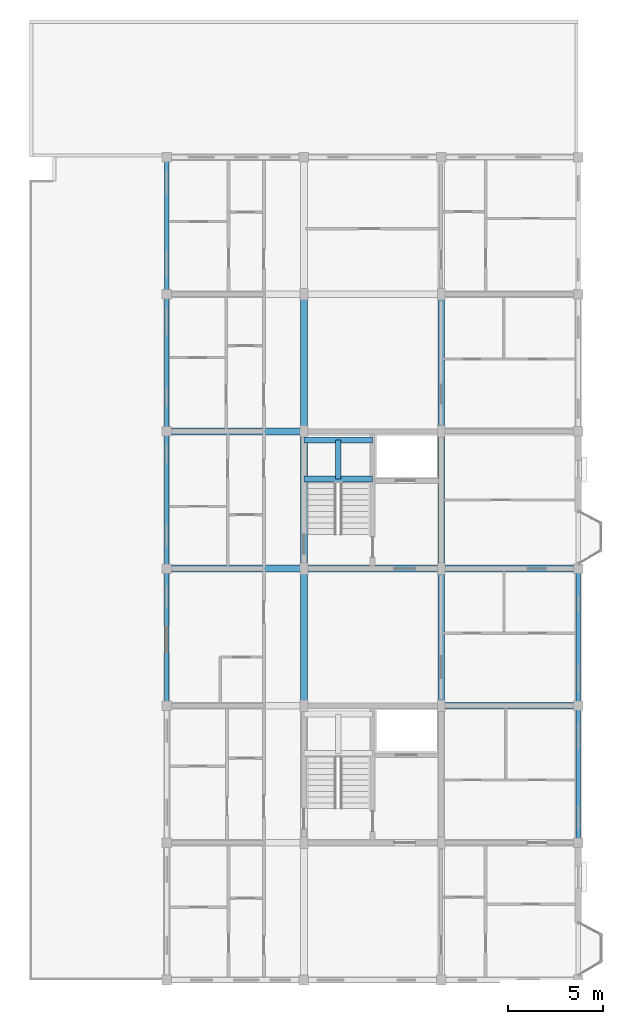
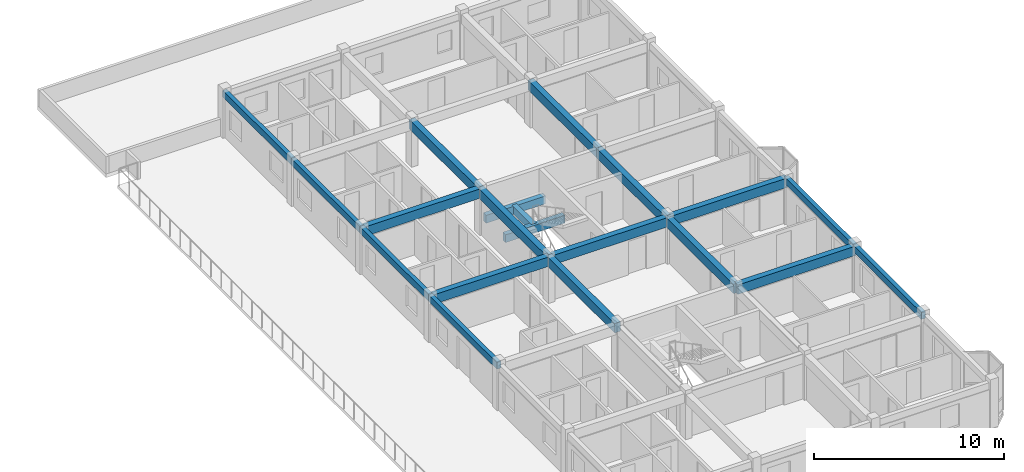
# One storey, part 25 of 70: 20 beams.
"""IFC4 building model written with IfcOpenShell, lengths in metres."""

import ifcopenshell
import ifcopenshell.guid

model = None  # the IFC model being written
_history = None  # IfcOwnerHistory: only IFC2X3 demands one
_inside = {}  # id of a spatial element -> (the spatial element, [elements in it])
_under = {}  # id of a project, library or spatial element -> (it, [spatial elements below it])
_declared = {}  # id of a project -> (the project, [libraries it declares])
_typed = {}  # id of a type object -> (the type object, [elements of that type])
_made_of = {}  # id of a material, layer set ... -> (it, [elements and type objects made of it])


def new_model(schema):
    """Start an empty IFC model of exactly this schema.

    Asked for "IFC4X3", IfcOpenShell would pick the latest addendum, in which some entities
    have other attributes; the version numbers below select the first issue.
    IFC2X3 requires an IfcOwnerHistory on every rooted entity: one is made here for all.
    """
    global model, _history
    if schema == "IFC4X3":
        model = ifcopenshell.file(schema_version=(4, 3, 0, 0))
    else:
        model = ifcopenshell.file(schema=schema)
    _inside.clear()
    _under.clear()
    _declared.clear()
    _typed.clear()
    _made_of.clear()
    _history = None
    if model.schema == "IFC2X3":
        org = make("IfcOrganization", Name="unknown")
        user = make(
            "IfcPersonAndOrganization",
            ThePerson=make("IfcPerson", FamilyName="unknown"),
            TheOrganization=org,
        )
        app = make(
            "IfcApplication",
            ApplicationDeveloper=org,
            Version="unknown",
            ApplicationFullName="unknown",
            ApplicationIdentifier="unknown",
        )
        _history = make(
            "IfcOwnerHistory",
            OwningUser=user,
            OwningApplication=app,
            ChangeAction="ADDED",
            CreationDate=0,
        )
    return model


def make(cls, **values):
    """One entity of the class cls with the attributes given. An attribute that is None is left unset."""
    return model.create_entity(
        cls, **{name: value for name, value in values.items() if value is not None}
    )


def rooted(cls, **values):
    """An entity with a GlobalId (a new one), such as an element, a storey or a relation."""
    return make(cls, GlobalId=ifcopenshell.guid.new(), OwnerHistory=_history, **values)


def si_unit(unit_type, name, prefix=None):
    """IfcSIUnit, for example si_unit("LENGTHUNIT", "METRE", prefix="MILLI")."""
    return make("IfcSIUnit", UnitType=unit_type, Prefix=prefix, Name=name)


def assignment(units):
    """IfcUnitAssignment: the units of a project."""
    return None if units is None else make("IfcUnitAssignment", Units=units)


def point(xyz):
    """IfcCartesianPoint."""
    return None if xyz is None else make("IfcCartesianPoint", Coordinates=xyz)


def direction(xyz):
    """IfcDirection."""
    return None if xyz is None else make("IfcDirection", DirectionRatios=xyz)


def frame(location, z_axis=None, x_axis=None):
    """IfcAxis2Placement3D, a coordinate frame: its origin and axes. An axis left out is left unset."""
    return make(
        "IfcAxis2Placement3D",
        Location=point(location),
        Axis=direction(z_axis),
        RefDirection=direction(x_axis),
    )


def frame_2d(location, x_axis=None):
    """IfcAxis2Placement2D, a coordinate frame in the plane: its origin and x axis."""
    return make(
        "IfcAxis2Placement2D", Location=point(location), RefDirection=direction(x_axis)
    )


def origin():
    """The frame at (0, 0, 0) with its axes left unset."""
    return frame((0.0, 0.0, 0.0))


def origin_2d():
    """The frame at (0, 0) in the plane with its x axis left unset."""
    return frame_2d((0.0, 0.0))


def place(relative_to, where):
    """IfcLocalPlacement: puts the frame where relative to a parent placement (None: the world)."""
    return make(
        "IfcLocalPlacement", PlacementRelTo=relative_to, RelativePlacement=where
    )


def context(
    kind, dimensions, precision=None, world=None, true_north=None, identifier=None
):
    """IfcGeometricRepresentationContext, for example the 3D "Model" context."""
    return make(
        "IfcGeometricRepresentationContext",
        ContextIdentifier=identifier,
        ContextType=kind,
        CoordinateSpaceDimension=dimensions,
        Precision=precision,
        WorldCoordinateSystem=world,
        TrueNorth=true_north,
    )


def subcontext(parent, identifier, kind, view, scale=None):
    """IfcGeometricRepresentationSubContext, for example "Body" below "Model"."""
    return make(
        "IfcGeometricRepresentationSubContext",
        ContextIdentifier=identifier,
        ContextType=kind,
        ParentContext=parent,
        TargetScale=scale,
        TargetView=view,
    )


def project(units=None, contexts=None):
    """IfcProject with its units and contexts."""
    return rooted(
        "IfcProject",
        Name="project",
        RepresentationContexts=contexts,
        UnitsInContext=assignment(units),
    )


def spatial(cls, under=None, at=None, **own):
    """A site, building, storey or space (cls), placed at a placement, below another one or the project."""
    s = rooted(cls, ObjectPlacement=at, **own)
    if under is not None:
        _under.setdefault(under.id(), (under, []))[1].append(s)
    return s


def profile(cls, at=None, kind="AREA", **sizes):
    """A parametric profile (cls). Its sizes go by their IFC names, for example OverallWidth=200.0."""
    return make(cls, ProfileType=kind, Position=at, **sizes)


def rectangle(**sizes):
    """IfcRectangleProfileDef."""
    return profile("IfcRectangleProfileDef", **sizes)


def extrude(swept, where, along, depth):
    """IfcExtrudedAreaSolid: the profile swept, set in the frame where, extruded along a direction by depth."""
    return make(
        "IfcExtrudedAreaSolid",
        SweptArea=swept,
        Position=where,
        ExtrudedDirection=direction(along),
        Depth=depth,
    )


def shape(context_of_items, identifier, shape_type, items):
    """IfcShapeRepresentation: the items that make up one representation, for example the "Body"."""
    return make(
        "IfcShapeRepresentation",
        ContextOfItems=context_of_items,
        RepresentationIdentifier=identifier,
        RepresentationType=shape_type,
        Items=items,
    )


def material(Name=None, Category=None):
    """IfcMaterial."""
    return make("IfcMaterial", Name=Name, Category=Category)


def material_profile(
    of_material, cross_section, Name=None, Category=None, Priority=None
):
    """IfcMaterialProfile: a cross section and its material."""
    return make(
        "IfcMaterialProfile",
        Name=Name,
        Material=of_material,
        Profile=cross_section,
        Priority=Priority,
        Category=Category,
    )


def profile_set(profiles, Name=None, composite=None):
    """IfcMaterialProfileSet."""
    return make(
        "IfcMaterialProfileSet",
        Name=Name,
        MaterialProfiles=profiles,
        CompositeProfile=composite,
    )


def made_of(thing, what):
    """Note that an element or type object is made of a material, layer set ...; save() writes the relation."""
    if what is not None:
        _made_of.setdefault(what.id(), (what, []))[1].append(thing)
    return thing


def type_object(cls, material=None, **own):
    """A type object (cls), such as IfcWallType, which elements share."""
    return made_of(rooted(cls, **own), material)


def element(
    cls,
    number,
    at=None,
    inside=None,
    cuts=None,
    type_object=None,
    material=None,
    context=None,
    identifier="Body",
    shape_type=None,
    held_by="IfcProductDefinitionShape",
    body=None,
    shapes=None,
    **own,
):
    """One element of the class cls, such as IfcWall. Its Tag is "e" and its number.

    at: its placement. inside: the storey or other place that contains it. cuts: it is an
    opening in that element (IfcRelVoidsElement). A single representation is given by context,
    identifier, shape_type and body (its items); several are given by shapes. held_by: the class
    of the entity that holds the representations. save() writes the other relations.
    """
    e = rooted(cls, Tag="e%d" % number, ObjectPlacement=at, **own)
    if body is not None:
        shapes = [shape(context, identifier, shape_type, body)]
    if shapes is not None:
        e.Representation = make(held_by, Representations=shapes)
    if inside is not None:
        _inside.setdefault(inside.id(), (inside, []))[1].append(e)
    if cuts is not None:
        rooted(
            "IfcRelVoidsElement", RelatingBuildingElement=cuts, RelatedOpeningElement=e
        )
    if type_object is not None:
        _typed.setdefault(type_object.id(), (type_object, []))[1].append(e)
    return made_of(e, material)


def aggregate(whole, parts):
    """IfcRelAggregates: a whole, such as a stair, and the parts it consists of."""
    return rooted("IfcRelAggregates", RelatingObject=whole, RelatedObjects=parts)


def save(model, path):
    """Write the relations noted so far, then the file.

    IfcRelAggregates (storeys below a building ...), IfcRelContainedInSpatialStructure (elements
    in a storey), IfcRelDefinesByType, IfcRelAssociatesMaterial and IfcRelDeclares: one each for
    every whole, place, type object, material and project.
    """
    for whole, parts in _under.values():
        aggregate(whole, parts)
    for where, things in _inside.values():
        rooted(
            "IfcRelContainedInSpatialStructure",
            RelatedElements=things,
            RelatingStructure=where,
        )
    for kind, things in _typed.values():
        rooted("IfcRelDefinesByType", RelatedObjects=things, RelatingType=kind)
    for what, things in _made_of.values():
        rooted("IfcRelAssociatesMaterial", RelatedObjects=things, RelatingMaterial=what)
    for by, libraries in _declared.values():
        rooted("IfcRelDeclares", RelatingContext=by, RelatedDefinitions=libraries)
    model.write(path)


model = new_model("IFC4")

# Units and contexts
model_context = context("Model", 3, precision=1e-05, world=origin(), true_north=direction((0.0, 1.0)))
body_context = subcontext(model_context, "Body", "Model", "MODEL_VIEW")
ifc_project = project(units=[si_unit("LENGTHUNIT", "METRE"), si_unit("AREAUNIT", "SQUARE_METRE"), si_unit("VOLUMEUNIT", "CUBIC_METRE"), si_unit("PLANEANGLEUNIT", "RADIAN"), si_unit("MASSUNIT", "GRAM", prefix="KILO"), si_unit("THERMODYNAMICTEMPERATUREUNIT", "KELVIN"), si_unit("POWERUNIT", "WATT")], contexts=[model_context])

# Site, building, storey
site_placement = place(None, origin())
site = spatial("IfcSite", under=ifc_project, at=site_placement, CompositionType="ELEMENT")
building_placement = place(site_placement, origin())
building = spatial("IfcBuilding", under=site, at=building_placement, Name="Tavuni Mirador Residences", CompositionType="ELEMENT")
storey_placement = place(building_placement, frame((0.0, 0.0, 23.39990234375)))
storey = spatial("IfcBuildingStorey", under=building, at=storey_placement, Name="L07", CompositionType="ELEMENT", Elevation=23.39990234375)

# Beams
ifc_material = material(Name="Precast concrete C40/50", Category="concrete")
ifc_material_profile_1 = material_profile(ifc_material, rectangle(XDim=0.300048828125, YDim=0.5, at=origin_2d()), Name="PC 300x500", Category="concrete")
ifc_profile_set_1 = profile_set([ifc_material_profile_1], Name="Precast concrete C40/50")
beam_type_1 = type_object("IfcBeamType", Name="BT-B500", PredefinedType="BEAM", material=ifc_profile_set_1)
for number, where, z_axis, x_axis, name in (
    (1, (104.39990234375, 112.699951171875, 1.14501953125), (1.0, 0.0, 0.0), (0.0, 1.0, 0.0), "HLB1-C8-L07"),
    (2, (104.39990234375, 114.75, 1.14501953125), (1.0, 0.0, 0.0), (0.0, 1.0, 0.0), "HLB2-C8-L07"),
):
    element("IfcBeam", number, at=place(storey_placement, frame(where, z_axis=z_axis, x_axis=x_axis)), inside=storey, type_object=beam_type_1, Name=name, PredefinedType="BEAM", context=body_context, shape_type="SweptSolid", body=[
        extrude(rectangle(XDim=0.300048828125, YDim=0.5, at=origin_2d()), origin(), (0.0, 0.0, 1.0), 3.60009765625),
    ])
beam_1_placement = place(storey_placement, frame((106.199951171875, 112.699951171875, 1.14501953125), z_axis=(0.0, 1.0, 0.0), x_axis=(-1.0, 0.0, 0.0)))
element("IfcBeam", 3, at=beam_1_placement, inside=storey, type_object=beam_type_1, Name="HLB3-C8-L07", PredefinedType="BEAM", context=body_context, shape_type="SweptSolid", body=[
    extrude(rectangle(XDim=0.300048828125, YDim=0.5, at=origin_2d()), origin(), (0.0, 0.0, 1.0), 2.050048828125),
])
ifc_material_profile_2 = material_profile(ifc_material, rectangle(XDim=0.35009765625, YDim=0.60009765625, at=origin_2d()), Name="PC 350x600", Category="concrete")
ifc_profile_set_2 = profile_set([ifc_material_profile_2], Name="Precast concrete C40/50")
beam_type_2 = type_object("IfcBeamType", Name="BT-B600", PredefinedType="BEAM", material=ifc_profile_set_2)
for number, where, z_axis, x_axis, name in (
    (4, (111.60009765625, 100.800048828125, 2.590087890625), (1.0, 0.0, 0.0), (0.0, 1.0, 0.0), "BMX-BLK-D-L07-02-02"),
    (5, (97.199951171875, 108.0, 2.590087890625), (1.0, 0.0, 0.0), (0.0, 1.0, 0.0), "BMX-BLK-D-L07-00-03"),
):
    element("IfcBeam", number, at=place(storey_placement, frame(where, z_axis=z_axis, x_axis=x_axis)), inside=storey, type_object=beam_type_2, Name=name, PredefinedType="BEAM", context=body_context, shape_type="SweptSolid", body=[
        extrude(rectangle(XDim=0.35009765625, YDim=0.60009765625, at=origin_2d()), origin(), (0.0, 0.0, 1.0), 7.199951171875),
    ])
beam_2_placement = place(storey_placement, frame((104.39990234375, 108.0, 2.590087890625), z_axis=(1.0, 0.0, 0.0), x_axis=(0.0, 1.0, 0.0)))
element("IfcBeam", 6, at=beam_2_placement, inside=storey, type_object=beam_type_2, Name="BMX-BLK-D-L07-01-03", PredefinedType="BEAM", context=body_context, shape_type="SweptSolid", body=[
    extrude(rectangle(XDim=0.35009765625, YDim=0.60009765625, at=origin_2d()), origin(), (0.0, 0.0, 1.0), 7.2001953125),
])
for number, where, z_axis, x_axis, name in (
    (7, (111.60009765625, 108.0, 2.590087890625), (1.0, 0.0, 0.0), (0.0, 1.0, 0.0), "BMX-BLK-D-L07-02-03"),
    (8, (97.199951171875, 115.199951171875, 2.590087890625), (1.0, 0.0, 0.0), (0.0, 1.0, 0.0), "BMX-BLK-D-L07-00-04"),
    (9, (104.39990234375, 100.800048828125, 2.590087890625), (0.0, 1.0, 0.0), (-1.0, 0.0, 0.0), "BMY-BLK-D-L07-01-02"),
    (10, (104.39990234375, 108.0, 2.590087890625), (0.0, 1.0, 0.0), (-1.0, 0.0, 0.0), "BMY-BLK-D-L07-01-03"),
    (11, (104.39990234375, 115.199951171875, 2.590087890625), (0.0, 1.0, 0.0), (-1.0, 0.0, 0.0), "BMY-BLK-D-L07-01-04"),
    (12, (111.60009765625, 100.800048828125, 2.590087890625), (0.0, 1.0, 0.0), (-1.0, 0.0, 0.0), "BMY-BLK-D-L07-02-02"),
    (13, (111.60009765625, 108.0, 2.590087890625), (0.0, 1.0, 0.0), (-1.0, 0.0, 0.0), "BMY-BLK-D-L07-02-03"),
    (14, (111.60009765625, 115.199951171875, 2.590087890625), (0.0, 1.0, 0.0), (-1.0, 0.0, 0.0), "BMY-BLK-D-L07-02-04"),
):
    element("IfcBeam", number, at=place(storey_placement, frame(where, z_axis=z_axis, x_axis=x_axis)), inside=storey, type_object=beam_type_2, Name=name, PredefinedType="BEAM", context=body_context, shape_type="SweptSolid", body=[
        extrude(rectangle(XDim=0.35009765625, YDim=0.60009765625, at=origin_2d()), origin(), (0.0, 0.0, 1.0), 7.199951171875),
    ])
ifc_material_profile_3 = material_profile(ifc_material, rectangle(XDim=0.25, YDim=0.419921875, at=origin_2d()), Name="PC 250x420", Category="concrete")
ifc_profile_set_3 = profile_set([ifc_material_profile_3], Name="Precast concrete C40/50")
beam_type_3 = type_object("IfcBeamType", Name="BT-SP420", PredefinedType="SPANDREL", material=ifc_profile_set_3)
for number, where, z_axis, x_axis, name in (
    (15, (97.199951171875, 100.800048828125, 2.68017578125), (0.0, 1.0, 0.0), (-1.0, 0.0, 0.0), "BMY-BLK-D-L07-00-02"),
    (16, (97.199951171875, 108.0, 2.68017578125), (0.0, 1.0, 0.0), (-1.0, 0.0, 0.0), "BMY-BLK-D-L07-00-03"),
    (17, (97.199951171875, 115.199951171875, 2.68017578125), (0.0, 1.0, 0.0), (-1.0, 0.0, 0.0), "BMY-BLK-D-L07-00-04"),
):
    element("IfcBeam", number, at=place(storey_placement, frame(where, z_axis=z_axis, x_axis=x_axis)), inside=storey, type_object=beam_type_3, Name=name, PredefinedType="SPANDREL", context=body_context, shape_type="SweptSolid", body=[
        extrude(rectangle(XDim=0.25, YDim=0.419921875, at=origin_2d()), origin(), (0.0, 0.0, 1.0), 7.199951171875),
    ])
beam_3_placement = place(storey_placement, frame((97.199951171875, 122.39990234375, 2.68017578125), z_axis=(0.0, 1.0, 0.0), x_axis=(-1.0, 0.0, 0.0)))
element("IfcBeam", 18, at=beam_3_placement, inside=storey, type_object=beam_type_3, Name="BMY-BLK-D-L07-00-05", PredefinedType="SPANDREL", context=body_context, shape_type="SweptSolid", body=[
    extrude(rectangle(XDim=0.25, YDim=0.419921875, at=origin_2d()), origin(), (0.0, 0.0, 1.0), 7.2001953125),
])
for number, where, z_axis, x_axis, name in (
    (19, (118.800048828125, 93.60009765625, 2.68017578125), (0.0, 1.0, 0.0), (-1.0, 0.0, 0.0), "BMY-BLK-D-L07-03-01"),
    (20, (118.800048828125, 100.800048828125, 2.68017578125), (0.0, 1.0, 0.0), (-1.0, 0.0, 0.0), "BMY-BLK-D-L07-03-02"),
):
    element("IfcBeam", number, at=place(storey_placement, frame(where, z_axis=z_axis, x_axis=x_axis)), inside=storey, type_object=beam_type_3, Name=name, PredefinedType="SPANDREL", context=body_context, shape_type="SweptSolid", body=[
        extrude(rectangle(XDim=0.25, YDim=0.419921875, at=origin_2d()), origin(), (0.0, 0.0, 1.0), 7.199951171875),
    ])

save(model, "model.ifc")
